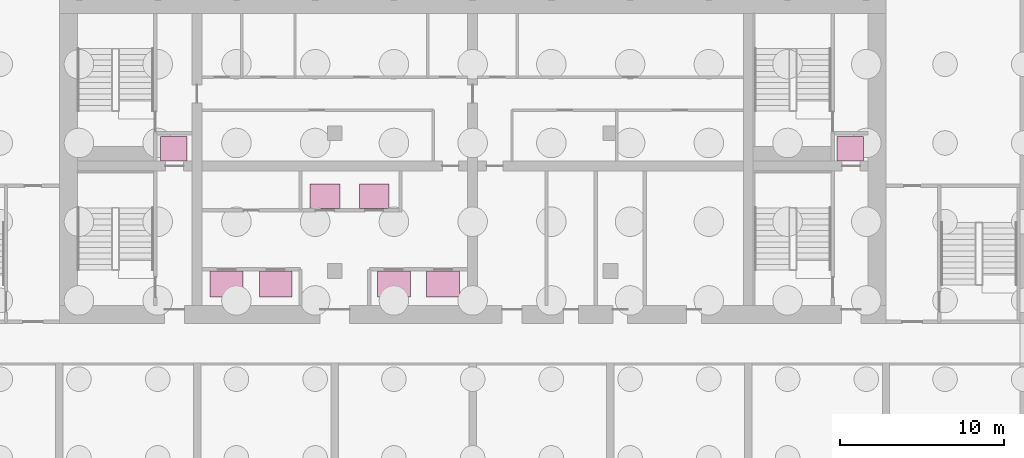
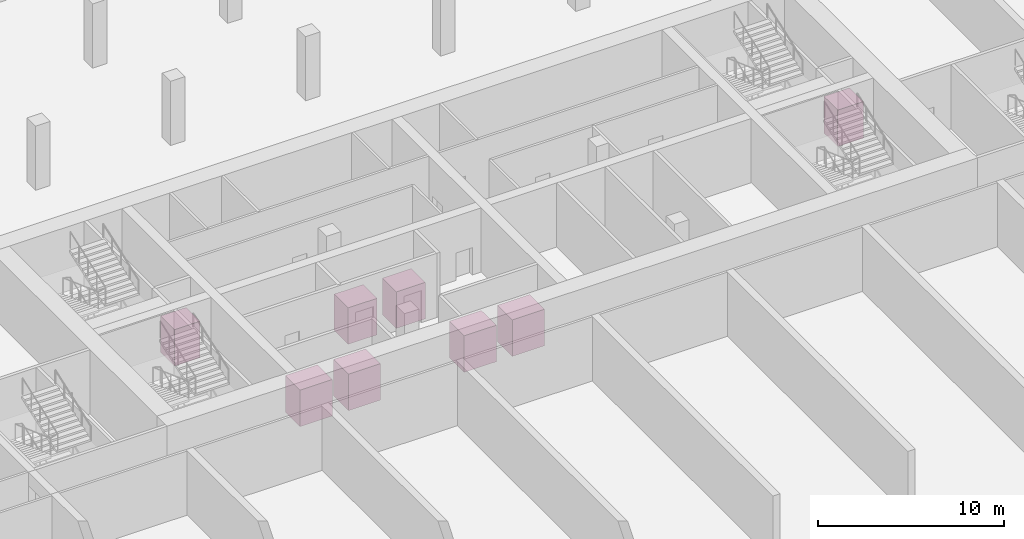
# One storey, part 17 of 17: 8 transport elements.
"""IFC4 building model written with IfcOpenShell, lengths in metres."""

from ifc_helpers import new_model, si_unit, direction, frame, origin, origin_2d, place, context, subcontext, project, spatial, rectangle, extrude, source, transform, mapped, material, type_object, element, save


model = new_model("IFC4")

# Units and contexts
model_context = context("Model", 3, precision=1e-05, world=origin(), true_north=direction((0.0, 1.0)))
body_context = subcontext(model_context, "Body", "Model", "MODEL_VIEW")
ifc_project = project(units=[si_unit("LENGTHUNIT", "METRE"), si_unit("AREAUNIT", "SQUARE_METRE"), si_unit("VOLUMEUNIT", "CUBIC_METRE"), si_unit("PLANEANGLEUNIT", "RADIAN"), si_unit("MASSUNIT", "GRAM", prefix="KILO")], contexts=[model_context])

# Site, building, storey
site_placement = place(None, origin())
site = spatial("IfcSite", under=ifc_project, at=site_placement, CompositionType="ELEMENT")
building_placement = place(site_placement, origin())
building = spatial("IfcBuilding", under=site, at=building_placement, Name="Vanashikhar Sky Hotel", CompositionType="ELEMENT")
storey_placement = place(building_placement, frame((0.0, 0.0, -13.5)))
storey = spatial("IfcBuildingStorey", under=building, at=storey_placement, Name="B3", CompositionType="ELEMENT", Elevation=-13.5)

# Transport elements
ifc_material = material(Name="Stainless steel", Category="steel")
transport_element_type_1 = type_object("IfcTransportElementType", Name="Passenger lift car 2000 x 1600", PredefinedType="ELEVATOR", material=ifc_material)
shared_shape_1 = source(origin(), body_context, "Body", "SweptSolid", [
    extrude(rectangle(XDim=2.0, YDim=1.60009765625, at=origin_2d()), origin(), (0.0, 0.0, 1.0), 2.39990234375),
])
for number, where, z_axis, x_axis, name in (
    (1, (35.39990234375, 24.39990234375, 0.0), (0.0, 0.0, 1.0), (1.0, 0.0, 0.0), "Passenger lift 1"),
    (2, (38.39990234375, 24.39990234375, 0.0), (0.0, 0.0, 1.0), (1.0, 0.0, 0.0), "Passenger lift 2"),
    (3, (45.60009765625, 24.39990234375, 0.0), (0.0, 0.0, 1.0), (1.0, 0.0, 0.0), "Passenger lift 3"),
    (4, (48.60009765625, 24.39990234375, 0.0), (0.0, 0.0, 1.0), (1.0, 0.0, 0.0), "Passenger lift 4"),
):
    element("IfcTransportElement", number, at=place(storey_placement, frame(where, z_axis=z_axis, x_axis=x_axis)), inside=storey, type_object=transport_element_type_1, Name=name, PredefinedType="ELEVATOR", context=body_context, shape_type="MappedRepresentation", body=[
        mapped(shared_shape_1, transform((0.0, 0.0, 0.0), scale=1.0)),
    ])
transport_element_type_2 = type_object("IfcTransportElementType", Name="Firefighting lift car 1600 x 1500", PredefinedType="ELEVATOR", material=ifc_material)
shared_shape_2 = source(origin(), body_context, "Body", "SweptSolid", [
    extrude(rectangle(XDim=1.60009765625, YDim=1.5, at=origin_2d()), origin(), (0.0, 0.0, 1.0), 2.39990234375),
])
for number, where, z_axis, x_axis, name in (
    (5, (32.175048828125, 32.64990234375, 0.0), (0.0, 0.0, 1.0), (1.0, 0.0, 0.0), "Firefighting lift 1"),
    (6, (73.425048828125, 32.64990234375, 0.0), (0.0, 0.0, 1.0), (1.0, 0.0, 0.0), "Firefighting lift 2"),
):
    element("IfcTransportElement", number, at=place(storey_placement, frame(where, z_axis=z_axis, x_axis=x_axis)), inside=storey, type_object=transport_element_type_2, Name=name, PredefinedType="ELEVATOR", context=body_context, shape_type="MappedRepresentation", body=[
        mapped(shared_shape_2, transform((0.0, 0.0, 0.0), scale=1.0)),
    ])
transport_element_type_3 = type_object("IfcTransportElementType", Name="Service lift car 1800 x 1500", PredefinedType="ELEVATOR", material=ifc_material)
shared_shape_3 = source(origin(), body_context, "Body", "SweptSolid", [
    extrude(rectangle(XDim=1.800048828125, YDim=1.5, at=origin_2d()), origin(), (0.0, 0.0, 1.0), 2.39990234375),
])
for number, where, z_axis, x_axis, name in (
    (7, (41.39990234375, 29.75, 0.0), (0.0, 0.0, 1.0), (1.0, 0.0, 0.0), "Service lift 1"),
    (8, (44.39990234375, 29.75, 0.0), (0.0, 0.0, 1.0), (1.0, 0.0, 0.0), "Service lift 2"),
):
    element("IfcTransportElement", number, at=place(storey_placement, frame(where, z_axis=z_axis, x_axis=x_axis)), inside=storey, type_object=transport_element_type_3, Name=name, PredefinedType="ELEVATOR", context=body_context, shape_type="MappedRepresentation", body=[
        mapped(shared_shape_3, transform((0.0, 0.0, 0.0), scale=1.0)),
    ])

save(model, "model.ifc")
